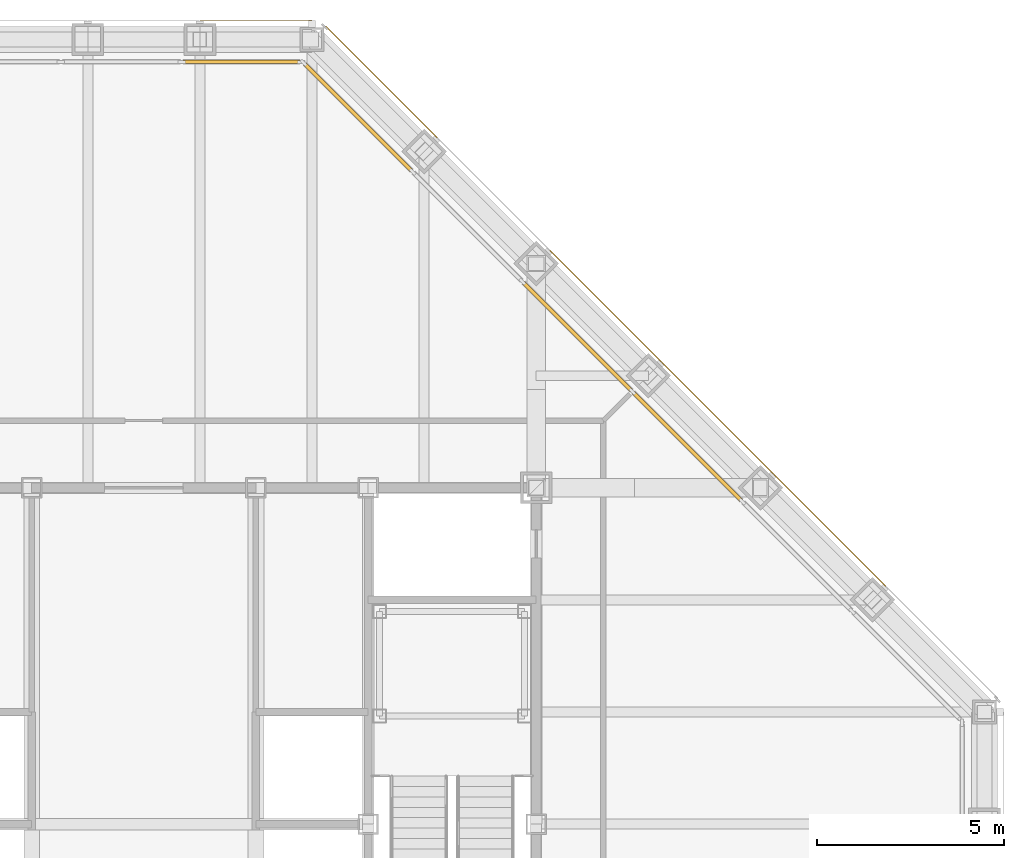
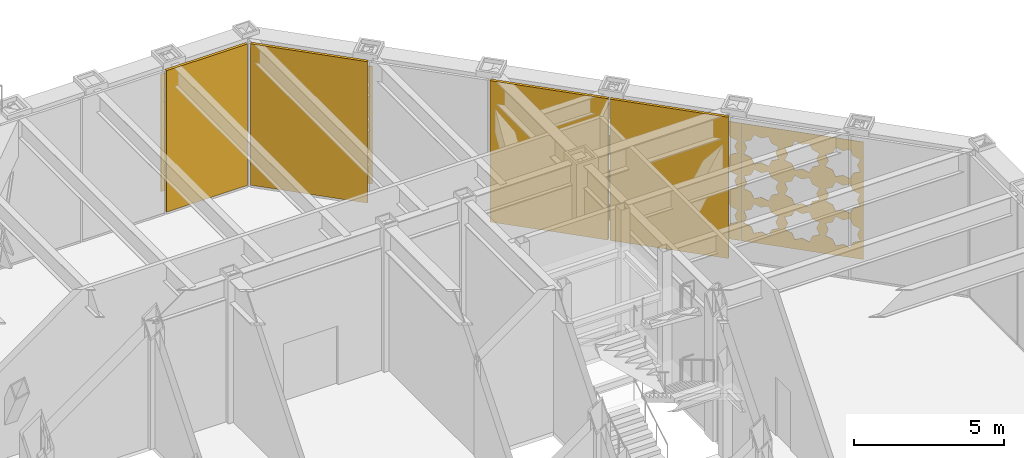
# One storey, part 28 of 29: 5 coverings, 4 shading devices, 2 elements without a shape of their own.
"""IFC4 building model written with IfcOpenShell, lengths in metres."""

from ifc_helpers import new_model, si_unit, direction, frame, origin, origin_2d, place, context, subcontext, project, spatial, polyline, rectangle, outline, extrude, material, layer, layer_set, type_object, element, aggregate, save


model = new_model("IFC4")

# Units and contexts
model_context = context("Model", 3, precision=1e-05, world=origin(), true_north=direction((0.0, 1.0)))
body_context = subcontext(model_context, "Body", "Model", "MODEL_VIEW")
ifc_project = project(units=[si_unit("LENGTHUNIT", "METRE"), si_unit("AREAUNIT", "SQUARE_METRE"), si_unit("VOLUMEUNIT", "CUBIC_METRE"), si_unit("PLANEANGLEUNIT", "RADIAN"), si_unit("MASSUNIT", "GRAM", prefix="KILO")], contexts=[model_context])

# Site, building, storey
site_placement = place(None, origin())
site = spatial("IfcSite", under=ifc_project, at=site_placement, CompositionType="ELEMENT")
building_placement = place(site_placement, origin())
building = spatial("IfcBuilding", under=site, at=building_placement, Name="Chuquiago Exchange Tower", CompositionType="ELEMENT")
storey_placement = place(building_placement, frame((0.0, 0.0, 251.699951171875)))
storey = spatial("IfcBuildingStorey", under=building, at=storey_placement, Name="L56", CompositionType="ELEMENT", Elevation=251.699951171875)

# Curtain wall, shading devices
ifc_material_1 = material(Name="Aluminium curtain wall system", Category="aluminium")
ifc_layer_1 = layer(ifc_material_1, 0.199951171875)
ifc_layer_set_1 = layer_set([ifc_layer_1], Name="CW6 plant floor louvre wall")
curtain_wall_type = type_object("IfcCurtainWallType", Name="CW6 plant floor louvre wall", PredefinedType="NOTDEFINED", material=ifc_layer_set_1)
curtain_wall_1_placement = place(storey_placement, origin())
curtain_wall_1 = element("IfcCurtainWall", 1, at=curtain_wall_1_placement, inside=storey, type_object=curtain_wall_type, Name="CW6 curtain wall L56", PredefinedType="NOTDEFINED")
ifc_material_2 = material(Name="Aluminium louvre", Category="aluminium")
ifc_layer_2 = layer(ifc_material_2, 0.10009765625)
ifc_layer_set_2 = layer_set([ifc_layer_2], Name="CW6-P louvre panel 100")
shading_device_type = type_object("IfcShadingDeviceType", Name="CW6-P louvre panel 100", PredefinedType="USERDEFINED", material=ifc_layer_set_2)
shading_device_1_placement = place(storey_placement, frame((37.04638671875, 34.10498046875, 0.0751953125), z_axis=(0.0, 0.0, 1.0), x_axis=(-0.707106781187, 0.707106781187, 0.0)))
shading_device_1 = element("IfcShadingDevice", 2, at=shading_device_1_placement, type_object=shading_device_type, Name="CW6 panel 3.1", ObjectType="LOUVER", PredefinedType="USERDEFINED", context=body_context, shape_type="SweptSolid", body=[
    extrude(rectangle(XDim=4.084716796875, YDim=0.10009765625, at=origin_2d()), origin(), (0.0, 0.0, 1.0), 5.764892578125),
])
shading_device_2_placement = place(storey_placement, frame((34.10498046875, 37.04638671875, 0.0751953125), z_axis=(0.0, 0.0, 1.0), x_axis=(-0.707106781187, 0.707106781187, 0.0)))
shading_device_2 = element("IfcShadingDevice", 3, at=shading_device_2_placement, type_object=shading_device_type, Name="CW6 panel 4.1", ObjectType="LOUVER", PredefinedType="USERDEFINED", context=body_context, shape_type="SweptSolid", body=[
    extrude(rectangle(XDim=4.084716796875, YDim=0.10009765625, at=origin_2d()), origin(), (0.0, 0.0, 1.0), 5.764892578125),
])
shading_device_3_placement = place(storey_placement, frame((28.2353515625, 42.916015625, 0.0751953125), z_axis=(0.0, 0.0, 1.0), x_axis=(-0.707106781187, 0.707106781187, 0.0)))
shading_device_3 = element("IfcShadingDevice", 4, at=shading_device_3_placement, type_object=shading_device_type, Name="CW6 panel 6.1", ObjectType="LOUVER", PredefinedType="USERDEFINED", context=body_context, shape_type="SweptSolid", body=[
    extrude(rectangle(XDim=4.04736328125, YDim=0.10009765625, at=origin_2d()), origin(), (0.0, 0.0, 1.0), 5.764892578125),
])
aggregate(curtain_wall_1, [shading_device_1, shading_device_2, shading_device_3])

# Curtain wall, shading device
curtain_wall_2_placement = place(storey_placement, origin())
curtain_wall_2 = element("IfcCurtainWall", 5, at=curtain_wall_2_placement, inside=storey, type_object=curtain_wall_type, Name="CW6 curtain wall L56", PredefinedType="NOTDEFINED")
shading_device_4_placement = place(storey_placement, frame((25.115234375, 44.39990234375, 0.0751953125), z_axis=(0.0, 0.0, 1.0), x_axis=(-1.0, 0.0, 0.0)))
shading_device_4 = element("IfcShadingDevice", 6, at=shading_device_4_placement, type_object=shading_device_type, Name="CW6 panel 1.1", ObjectType="LOUVER", PredefinedType="USERDEFINED", context=body_context, shape_type="SweptSolid", body=[
    extrude(rectangle(XDim=3.12255859375, YDim=0.10009765625, at=origin_2d()), origin(), (0.0, 0.0, 1.0), 5.764892578125),
])
aggregate(curtain_wall_2, [shading_device_4])

# Coverings
ifc_material_3 = material(Name="Anodised aluminium, pale", Category="aluminium")
ifc_layer_3 = layer(ifc_material_3, 0.02001953125)
ifc_layer_set_3 = layer_set([ifc_layer_3], Name="GC1 girih cladding panel 20")
covering_type_1 = type_object("IfcCoveringType", Name="GC1 girih cladding panel 20", PredefinedType="CLADDING", material=ifc_layer_set_3)
covering_1_placement = place(storey_placement, frame((26.9951171875, 45.5, 0.050048828125), z_axis=(0.0, 0.0, 1.0), x_axis=(-1.0, 0.0, 0.0)))
element("IfcCovering", 7, at=covering_1_placement, inside=storey, type_object=covering_type_1, Name="Girih cladding panel L56 N 1", PredefinedType="CLADDING", context=body_context, shape_type="SweptSolid", body=[
    extrude(outline(polyline([(0.0, 0.0), (2.989990234375, 0.0), (2.989990234375, 4.7900390625), (0.0, 4.7900390625), (0.0, 0.0)]), holes=[polyline([(1.27392578125, 0.89990234375), (1.3828125, 1.1630859375), (1.11962890625, 1.272216796875), (1.0107421875, 1.535400390625), (0.74755859375, 1.426513671875), (0.484375, 1.535400390625), (0.375244140625, 1.272216796875), (0.112060546875, 1.1630859375), (0.22119140625, 0.89990234375), (0.112060546875, 0.63671875), (0.375244140625, 0.52783203125), (0.484375, 0.2646484375), (0.74755859375, 0.37353515625), (1.0107421875, 0.2646484375), (1.11962890625, 0.52783203125), (1.3828125, 0.63671875), (1.27392578125, 0.89990234375)]), polyline([(2.768798828125, 0.89990234375), (2.8779296875, 1.1630859375), (2.61474609375, 1.272216796875), (2.505615234375, 1.535400390625), (2.242431640625, 1.426513671875), (1.979248046875, 1.535400390625), (1.870361328125, 1.272216796875), (1.607177734375, 1.1630859375), (1.716064453125, 0.89990234375), (1.607177734375, 0.63671875), (1.870361328125, 0.52783203125), (1.979248046875, 0.2646484375), (2.242431640625, 0.37353515625), (2.505615234375, 0.2646484375), (2.61474609375, 0.52783203125), (2.8779296875, 0.63671875), (2.768798828125, 0.89990234375)]), polyline([(1.27392578125, 2.39501953125), (1.3828125, 2.658203125), (1.11962890625, 2.76708984375), (1.0107421875, 3.030517578125), (0.74755859375, 2.92138671875), (0.484375, 3.030517578125), (0.375244140625, 2.76708984375), (0.112060546875, 2.658203125), (0.22119140625, 2.39501953125), (0.112060546875, 2.1318359375), (0.375244140625, 2.022705078125), (0.484375, 1.759521484375), (0.74755859375, 1.86865234375), (1.0107421875, 1.759521484375), (1.11962890625, 2.022705078125), (1.3828125, 2.1318359375), (1.27392578125, 2.39501953125)]), polyline([(2.768798828125, 2.39501953125), (2.8779296875, 2.658203125), (2.61474609375, 2.76708984375), (2.505615234375, 3.030517578125), (2.242431640625, 2.92138671875), (1.979248046875, 3.030517578125), (1.870361328125, 2.76708984375), (1.607177734375, 2.658203125), (1.716064453125, 2.39501953125), (1.607177734375, 2.1318359375), (1.870361328125, 2.022705078125), (1.979248046875, 1.759521484375), (2.242431640625, 1.86865234375), (2.505615234375, 1.759521484375), (2.61474609375, 2.022705078125), (2.8779296875, 2.1318359375), (2.768798828125, 2.39501953125)]), polyline([(1.27392578125, 3.889892578125), (1.3828125, 4.1533203125), (1.11962890625, 4.26220703125), (1.0107421875, 4.525390625), (0.74755859375, 4.41650390625), (0.484375, 4.525390625), (0.375244140625, 4.26220703125), (0.112060546875, 4.1533203125), (0.22119140625, 3.889892578125), (0.112060546875, 3.626708984375), (0.375244140625, 3.517822265625), (0.484375, 3.254638671875), (0.74755859375, 3.363525390625), (1.0107421875, 3.254638671875), (1.11962890625, 3.517822265625), (1.3828125, 3.626708984375), (1.27392578125, 3.889892578125)]), polyline([(2.768798828125, 3.889892578125), (2.8779296875, 4.1533203125), (2.61474609375, 4.26220703125), (2.505615234375, 4.525390625), (2.242431640625, 4.41650390625), (1.979248046875, 4.525390625), (1.870361328125, 4.26220703125), (1.607177734375, 4.1533203125), (1.716064453125, 3.889892578125), (1.607177734375, 3.626708984375), (1.870361328125, 3.517822265625), (1.979248046875, 3.254638671875), (2.242431640625, 3.363525390625), (2.505615234375, 3.254638671875), (2.61474609375, 3.517822265625), (2.8779296875, 3.626708984375), (2.768798828125, 3.889892578125)])]), frame((0.0, 0.0, 0.0), z_axis=(0.0, -1.0, 0.0), x_axis=(1.0, 0.0, 0.0)), (0.0, 0.0, 1.0), 0.02001953125),
])
ifc_material_4 = material(Name="Anodised aluminium, pale", Category="aluminium")
ifc_layer_4 = layer(ifc_material_4, 0.02001953125)
ifc_layer_set_4 = layer_set([ifc_layer_4], Name="GC2 girih cladding panel 20")
covering_type_2 = type_object("IfcCoveringType", Name="GC2 girih cladding panel 20", PredefinedType="CLADDING", material=ifc_layer_set_4)
covering_2_placement = place(storey_placement, frame((42.35009765625, 30.357177734375, 0.050048828125), z_axis=(0.0, 0.0, 1.0), x_axis=(-0.707106781187, 0.707106781187, 0.0)))
element("IfcCovering", 8, at=covering_2_placement, inside=storey, type_object=covering_type_2, Name="Girih cladding panel L56 NE 2", PredefinedType="CLADDING", context=body_context, shape_type="SweptSolid", body=[
    extrude(outline(polyline([(0.0, 0.0), (4.232666015625, 0.0), (4.232666015625, 4.7900390625), (0.0, 4.7900390625), (0.0, 0.0)]), holes=[polyline([(1.2021484375, 0.984130859375), (1.304931640625, 1.232421875), (1.056640625, 1.33544921875), (0.953857421875, 1.583740234375), (0.70556640625, 1.480712890625), (0.45703125, 1.583740234375), (0.354248046875, 1.33544921875), (0.10595703125, 1.232421875), (0.208740234375, 0.984130859375), (0.10595703125, 0.735595703125), (0.354248046875, 0.6328125), (0.45703125, 0.384521484375), (0.705322265625, 0.4873046875), (0.953857421875, 0.384521484375), (1.056640625, 0.6328125), (1.304931640625, 0.735595703125), (1.2021484375, 0.984130859375)]), polyline([(2.613037109375, 0.984130859375), (2.7158203125, 1.232421875), (2.467529296875, 1.33544921875), (2.36474609375, 1.583740234375), (2.116455078125, 1.480712890625), (1.867919921875, 1.583740234375), (1.76513671875, 1.33544921875), (1.516845703125, 1.232421875), (1.61962890625, 0.984130859375), (1.516845703125, 0.735595703125), (1.76513671875, 0.6328125), (1.867919921875, 0.384521484375), (2.116455078125, 0.4873046875), (2.36474609375, 0.384521484375), (2.467529296875, 0.6328125), (2.7158203125, 0.735595703125), (2.613037109375, 0.984130859375)]), polyline([(4.02392578125, 0.984130859375), (4.126708984375, 1.232421875), (3.87841796875, 1.33544921875), (3.775634765625, 1.583740234375), (3.527099609375, 1.480712890625), (3.27880859375, 1.583740234375), (3.176025390625, 1.33544921875), (2.927734375, 1.232421875), (3.030517578125, 0.984130859375), (2.927734375, 0.735595703125), (3.176025390625, 0.6328125), (3.27880859375, 0.384521484375), (3.527099609375, 0.4873046875), (3.775634765625, 0.384521484375), (3.87841796875, 0.6328125), (4.126708984375, 0.735595703125), (4.02392578125, 0.984130859375)]), polyline([(1.2021484375, 2.39501953125), (1.304931640625, 2.643310546875), (1.056640625, 2.746337890625), (0.953857421875, 2.99462890625), (0.70556640625, 2.8916015625), (0.45703125, 2.99462890625), (0.354248046875, 2.746337890625), (0.10595703125, 2.643310546875), (0.208740234375, 2.39501953125), (0.10595703125, 2.146484375), (0.354248046875, 2.043701171875), (0.45703125, 1.79541015625), (0.705322265625, 1.898193359375), (0.953857421875, 1.79541015625), (1.056640625, 2.043701171875), (1.304931640625, 2.146484375), (1.2021484375, 2.39501953125)]), polyline([(2.613037109375, 2.39501953125), (2.7158203125, 2.643310546875), (2.467529296875, 2.746337890625), (2.36474609375, 2.99462890625), (2.116455078125, 2.8916015625), (1.867919921875, 2.99462890625), (1.76513671875, 2.746337890625), (1.516845703125, 2.643310546875), (1.61962890625, 2.39501953125), (1.516845703125, 2.146484375), (1.76513671875, 2.043701171875), (1.867919921875, 1.79541015625), (2.116455078125, 1.898193359375), (2.36474609375, 1.79541015625), (2.467529296875, 2.043701171875), (2.7158203125, 2.146484375), (2.613037109375, 2.39501953125)]), polyline([(4.02392578125, 2.39501953125), (4.126708984375, 2.643310546875), (3.87841796875, 2.746337890625), (3.775634765625, 2.99462890625), (3.527099609375, 2.8916015625), (3.27880859375, 2.99462890625), (3.176025390625, 2.746337890625), (2.927734375, 2.643310546875), (3.030517578125, 2.39501953125), (2.927734375, 2.146484375), (3.176025390625, 2.043701171875), (3.27880859375, 1.79541015625), (3.527099609375, 1.898193359375), (3.775634765625, 1.79541015625), (3.87841796875, 2.043701171875), (4.126708984375, 2.146484375), (4.02392578125, 2.39501953125)]), polyline([(1.2021484375, 3.805908203125), (1.304931640625, 4.05419921875), (1.056640625, 4.1572265625), (0.953857421875, 4.405517578125), (0.70556640625, 4.302490234375), (0.45703125, 4.405517578125), (0.354248046875, 4.1572265625), (0.10595703125, 4.05419921875), (0.208740234375, 3.805908203125), (0.10595703125, 3.5576171875), (0.354248046875, 3.45458984375), (0.45703125, 3.206298828125), (0.705322265625, 3.30908203125), (0.953857421875, 3.206298828125), (1.056640625, 3.45458984375), (1.304931640625, 3.5576171875), (1.2021484375, 3.805908203125)]), polyline([(2.613037109375, 3.805908203125), (2.7158203125, 4.05419921875), (2.467529296875, 4.1572265625), (2.36474609375, 4.405517578125), (2.116455078125, 4.302490234375), (1.867919921875, 4.405517578125), (1.76513671875, 4.1572265625), (1.516845703125, 4.05419921875), (1.61962890625, 3.805908203125), (1.516845703125, 3.5576171875), (1.76513671875, 3.45458984375), (1.867919921875, 3.206298828125), (2.116455078125, 3.30908203125), (2.36474609375, 3.206298828125), (2.467529296875, 3.45458984375), (2.7158203125, 3.5576171875), (2.613037109375, 3.805908203125)]), polyline([(4.02392578125, 3.805908203125), (4.126708984375, 4.05419921875), (3.87841796875, 4.1572265625), (3.775634765625, 4.405517578125), (3.527099609375, 4.302490234375), (3.27880859375, 4.405517578125), (3.176025390625, 4.1572265625), (2.927734375, 4.05419921875), (3.030517578125, 3.805908203125), (2.927734375, 3.5576171875), (3.176025390625, 3.45458984375), (3.27880859375, 3.206298828125), (3.527099609375, 3.30908203125), (3.775634765625, 3.206298828125), (3.87841796875, 3.45458984375), (4.126708984375, 3.5576171875), (4.02392578125, 3.805908203125)])]), frame((0.0, 0.0, 0.0), z_axis=(0.0, -1.0, 0.0), x_axis=(1.0, 0.0, 0.0)), (0.0, 0.0, 1.0), 0.02001953125),
])
covering_3_placement = place(storey_placement, frame((39.35009765625, 33.357177734375, 0.050048828125), z_axis=(0.0, 0.0, 1.0), x_axis=(-0.707106781187, 0.707106781187, 0.0)))
element("IfcCovering", 9, at=covering_3_placement, inside=storey, type_object=covering_type_2, Name="Girih cladding panel L56 NE 3", PredefinedType="CLADDING", context=body_context, shape_type="SweptSolid", body=[
    extrude(outline(polyline([(0.0, 0.0), (4.232666015625, 0.0), (4.232666015625, 4.7900390625), (0.0, 4.7900390625), (0.0, 0.0)]), holes=[polyline([(1.2021484375, 0.984130859375), (1.304931640625, 1.232421875), (1.056640625, 1.33544921875), (0.953857421875, 1.583740234375), (0.70556640625, 1.480712890625), (0.45703125, 1.583740234375), (0.354248046875, 1.33544921875), (0.10595703125, 1.232421875), (0.208740234375, 0.984130859375), (0.10595703125, 0.735595703125), (0.354248046875, 0.6328125), (0.45703125, 0.384521484375), (0.705322265625, 0.4873046875), (0.953857421875, 0.384521484375), (1.056640625, 0.6328125), (1.304931640625, 0.735595703125), (1.2021484375, 0.984130859375)]), polyline([(2.613037109375, 0.984130859375), (2.7158203125, 1.232421875), (2.467529296875, 1.33544921875), (2.36474609375, 1.583740234375), (2.116455078125, 1.480712890625), (1.867919921875, 1.583740234375), (1.76513671875, 1.33544921875), (1.516845703125, 1.232421875), (1.61962890625, 0.984130859375), (1.516845703125, 0.735595703125), (1.76513671875, 0.6328125), (1.867919921875, 0.384521484375), (2.116455078125, 0.4873046875), (2.36474609375, 0.384521484375), (2.467529296875, 0.6328125), (2.7158203125, 0.735595703125), (2.613037109375, 0.984130859375)]), polyline([(4.02392578125, 0.984130859375), (4.126708984375, 1.232421875), (3.87841796875, 1.33544921875), (3.775634765625, 1.583740234375), (3.527099609375, 1.480712890625), (3.27880859375, 1.583740234375), (3.176025390625, 1.33544921875), (2.927734375, 1.232421875), (3.030517578125, 0.984130859375), (2.927734375, 0.735595703125), (3.176025390625, 0.6328125), (3.27880859375, 0.384521484375), (3.527099609375, 0.4873046875), (3.775634765625, 0.384521484375), (3.87841796875, 0.6328125), (4.126708984375, 0.735595703125), (4.02392578125, 0.984130859375)]), polyline([(1.2021484375, 2.39501953125), (1.304931640625, 2.643310546875), (1.056640625, 2.746337890625), (0.953857421875, 2.99462890625), (0.70556640625, 2.8916015625), (0.45703125, 2.99462890625), (0.354248046875, 2.746337890625), (0.10595703125, 2.643310546875), (0.208740234375, 2.39501953125), (0.10595703125, 2.146484375), (0.354248046875, 2.043701171875), (0.45703125, 1.79541015625), (0.705322265625, 1.898193359375), (0.953857421875, 1.79541015625), (1.056640625, 2.043701171875), (1.304931640625, 2.146484375), (1.2021484375, 2.39501953125)]), polyline([(2.613037109375, 2.39501953125), (2.7158203125, 2.643310546875), (2.467529296875, 2.746337890625), (2.36474609375, 2.99462890625), (2.116455078125, 2.8916015625), (1.867919921875, 2.99462890625), (1.76513671875, 2.746337890625), (1.516845703125, 2.643310546875), (1.61962890625, 2.39501953125), (1.516845703125, 2.146484375), (1.76513671875, 2.043701171875), (1.867919921875, 1.79541015625), (2.116455078125, 1.898193359375), (2.36474609375, 1.79541015625), (2.467529296875, 2.043701171875), (2.7158203125, 2.146484375), (2.613037109375, 2.39501953125)]), polyline([(4.02392578125, 2.39501953125), (4.126708984375, 2.643310546875), (3.87841796875, 2.746337890625), (3.775634765625, 2.99462890625), (3.527099609375, 2.8916015625), (3.27880859375, 2.99462890625), (3.176025390625, 2.746337890625), (2.927734375, 2.643310546875), (3.030517578125, 2.39501953125), (2.927734375, 2.146484375), (3.176025390625, 2.043701171875), (3.27880859375, 1.79541015625), (3.527099609375, 1.898193359375), (3.775634765625, 1.79541015625), (3.87841796875, 2.043701171875), (4.126708984375, 2.146484375), (4.02392578125, 2.39501953125)]), polyline([(1.2021484375, 3.805908203125), (1.304931640625, 4.05419921875), (1.056640625, 4.1572265625), (0.953857421875, 4.405517578125), (0.70556640625, 4.302490234375), (0.45703125, 4.405517578125), (0.354248046875, 4.1572265625), (0.10595703125, 4.05419921875), (0.208740234375, 3.805908203125), (0.10595703125, 3.5576171875), (0.354248046875, 3.45458984375), (0.45703125, 3.206298828125), (0.705322265625, 3.30908203125), (0.953857421875, 3.206298828125), (1.056640625, 3.45458984375), (1.304931640625, 3.5576171875), (1.2021484375, 3.805908203125)]), polyline([(2.613037109375, 3.805908203125), (2.7158203125, 4.05419921875), (2.467529296875, 4.1572265625), (2.36474609375, 4.405517578125), (2.116455078125, 4.302490234375), (1.867919921875, 4.405517578125), (1.76513671875, 4.1572265625), (1.516845703125, 4.05419921875), (1.61962890625, 3.805908203125), (1.516845703125, 3.5576171875), (1.76513671875, 3.45458984375), (1.867919921875, 3.206298828125), (2.116455078125, 3.30908203125), (2.36474609375, 3.206298828125), (2.467529296875, 3.45458984375), (2.7158203125, 3.5576171875), (2.613037109375, 3.805908203125)]), polyline([(4.02392578125, 3.805908203125), (4.126708984375, 4.05419921875), (3.87841796875, 4.1572265625), (3.775634765625, 4.405517578125), (3.527099609375, 4.302490234375), (3.27880859375, 4.405517578125), (3.176025390625, 4.1572265625), (2.927734375, 4.05419921875), (3.030517578125, 3.805908203125), (2.927734375, 3.5576171875), (3.176025390625, 3.45458984375), (3.27880859375, 3.206298828125), (3.527099609375, 3.30908203125), (3.775634765625, 3.206298828125), (3.87841796875, 3.45458984375), (4.126708984375, 3.5576171875), (4.02392578125, 3.805908203125)])]), frame((0.0, 0.0, 0.0), z_axis=(0.0, -1.0, 0.0), x_axis=(1.0, 0.0, 0.0)), (0.0, 0.0, 1.0), 0.02001953125),
])
covering_4_placement = place(storey_placement, frame((36.35009765625, 36.357177734375, 0.050048828125), z_axis=(0.0, 0.0, 1.0), x_axis=(-0.707106781187, 0.707106781187, 0.0)))
element("IfcCovering", 10, at=covering_4_placement, inside=storey, type_object=covering_type_2, Name="Girih cladding panel L56 NE 4", PredefinedType="CLADDING", context=body_context, shape_type="SweptSolid", body=[
    extrude(outline(polyline([(0.0, 0.0), (4.232666015625, 0.0), (4.232666015625, 4.7900390625), (0.0, 4.7900390625), (0.0, 0.0)]), holes=[polyline([(1.2021484375, 0.984130859375), (1.304931640625, 1.232421875), (1.056640625, 1.33544921875), (0.953857421875, 1.583740234375), (0.70556640625, 1.480712890625), (0.45703125, 1.583740234375), (0.354248046875, 1.33544921875), (0.10595703125, 1.232421875), (0.208740234375, 0.984130859375), (0.10595703125, 0.735595703125), (0.354248046875, 0.6328125), (0.45703125, 0.384521484375), (0.705322265625, 0.4873046875), (0.953857421875, 0.384521484375), (1.056640625, 0.6328125), (1.304931640625, 0.735595703125), (1.2021484375, 0.984130859375)]), polyline([(2.613037109375, 0.984130859375), (2.7158203125, 1.232421875), (2.467529296875, 1.33544921875), (2.36474609375, 1.583740234375), (2.116455078125, 1.480712890625), (1.867919921875, 1.583740234375), (1.76513671875, 1.33544921875), (1.516845703125, 1.232421875), (1.61962890625, 0.984130859375), (1.516845703125, 0.735595703125), (1.76513671875, 0.6328125), (1.867919921875, 0.384521484375), (2.116455078125, 0.4873046875), (2.36474609375, 0.384521484375), (2.467529296875, 0.6328125), (2.7158203125, 0.735595703125), (2.613037109375, 0.984130859375)]), polyline([(4.02392578125, 0.984130859375), (4.126708984375, 1.232421875), (3.87841796875, 1.33544921875), (3.775634765625, 1.583740234375), (3.527099609375, 1.480712890625), (3.27880859375, 1.583740234375), (3.176025390625, 1.33544921875), (2.927734375, 1.232421875), (3.030517578125, 0.984130859375), (2.927734375, 0.735595703125), (3.176025390625, 0.6328125), (3.27880859375, 0.384521484375), (3.527099609375, 0.4873046875), (3.775634765625, 0.384521484375), (3.87841796875, 0.6328125), (4.126708984375, 0.735595703125), (4.02392578125, 0.984130859375)]), polyline([(1.2021484375, 2.39501953125), (1.304931640625, 2.643310546875), (1.056640625, 2.746337890625), (0.953857421875, 2.99462890625), (0.70556640625, 2.8916015625), (0.45703125, 2.99462890625), (0.354248046875, 2.746337890625), (0.10595703125, 2.643310546875), (0.208740234375, 2.39501953125), (0.10595703125, 2.146484375), (0.354248046875, 2.043701171875), (0.45703125, 1.79541015625), (0.705322265625, 1.898193359375), (0.953857421875, 1.79541015625), (1.056640625, 2.043701171875), (1.304931640625, 2.146484375), (1.2021484375, 2.39501953125)]), polyline([(2.613037109375, 2.39501953125), (2.7158203125, 2.643310546875), (2.467529296875, 2.746337890625), (2.36474609375, 2.99462890625), (2.116455078125, 2.8916015625), (1.867919921875, 2.99462890625), (1.76513671875, 2.746337890625), (1.516845703125, 2.643310546875), (1.61962890625, 2.39501953125), (1.516845703125, 2.146484375), (1.76513671875, 2.043701171875), (1.867919921875, 1.79541015625), (2.116455078125, 1.898193359375), (2.36474609375, 1.79541015625), (2.467529296875, 2.043701171875), (2.7158203125, 2.146484375), (2.613037109375, 2.39501953125)]), polyline([(4.02392578125, 2.39501953125), (4.126708984375, 2.643310546875), (3.87841796875, 2.746337890625), (3.775634765625, 2.99462890625), (3.527099609375, 2.8916015625), (3.27880859375, 2.99462890625), (3.176025390625, 2.746337890625), (2.927734375, 2.643310546875), (3.030517578125, 2.39501953125), (2.927734375, 2.146484375), (3.176025390625, 2.043701171875), (3.27880859375, 1.79541015625), (3.527099609375, 1.898193359375), (3.775634765625, 1.79541015625), (3.87841796875, 2.043701171875), (4.126708984375, 2.146484375), (4.02392578125, 2.39501953125)]), polyline([(1.2021484375, 3.805908203125), (1.304931640625, 4.05419921875), (1.056640625, 4.1572265625), (0.953857421875, 4.405517578125), (0.70556640625, 4.302490234375), (0.45703125, 4.405517578125), (0.354248046875, 4.1572265625), (0.10595703125, 4.05419921875), (0.208740234375, 3.805908203125), (0.10595703125, 3.5576171875), (0.354248046875, 3.45458984375), (0.45703125, 3.206298828125), (0.705322265625, 3.30908203125), (0.953857421875, 3.206298828125), (1.056640625, 3.45458984375), (1.304931640625, 3.5576171875), (1.2021484375, 3.805908203125)]), polyline([(2.613037109375, 3.805908203125), (2.7158203125, 4.05419921875), (2.467529296875, 4.1572265625), (2.36474609375, 4.405517578125), (2.116455078125, 4.302490234375), (1.867919921875, 4.405517578125), (1.76513671875, 4.1572265625), (1.516845703125, 4.05419921875), (1.61962890625, 3.805908203125), (1.516845703125, 3.5576171875), (1.76513671875, 3.45458984375), (1.867919921875, 3.206298828125), (2.116455078125, 3.30908203125), (2.36474609375, 3.206298828125), (2.467529296875, 3.45458984375), (2.7158203125, 3.5576171875), (2.613037109375, 3.805908203125)]), polyline([(4.02392578125, 3.805908203125), (4.126708984375, 4.05419921875), (3.87841796875, 4.1572265625), (3.775634765625, 4.405517578125), (3.527099609375, 4.302490234375), (3.27880859375, 4.405517578125), (3.176025390625, 4.1572265625), (2.927734375, 4.05419921875), (3.030517578125, 3.805908203125), (2.927734375, 3.5576171875), (3.176025390625, 3.45458984375), (3.27880859375, 3.206298828125), (3.527099609375, 3.30908203125), (3.775634765625, 3.206298828125), (3.87841796875, 3.45458984375), (4.126708984375, 3.5576171875), (4.02392578125, 3.805908203125)])]), frame((0.0, 0.0, 0.0), z_axis=(0.0, -1.0, 0.0), x_axis=(1.0, 0.0, 0.0)), (0.0, 0.0, 1.0), 0.02001953125),
])
covering_5_placement = place(storey_placement, frame((30.35009765625, 42.357177734375, 0.050048828125), z_axis=(0.0, 0.0, 1.0), x_axis=(-0.707106781187, 0.707106781187, 0.0)))
element("IfcCovering", 11, at=covering_5_placement, inside=storey, type_object=covering_type_2, Name="Girih cladding panel L56 NE 6", PredefinedType="CLADDING", context=body_context, shape_type="SweptSolid", body=[
    extrude(outline(polyline([(0.0, 0.0), (4.232666015625, 0.0), (4.232666015625, 4.7900390625), (0.0, 4.7900390625), (0.0, 0.0)]), holes=[polyline([(1.2021484375, 0.984130859375), (1.304931640625, 1.232421875), (1.056640625, 1.33544921875), (0.953857421875, 1.583740234375), (0.70556640625, 1.480712890625), (0.45703125, 1.583740234375), (0.354248046875, 1.33544921875), (0.10595703125, 1.232421875), (0.208740234375, 0.984130859375), (0.10595703125, 0.735595703125), (0.354248046875, 0.6328125), (0.45703125, 0.384521484375), (0.705322265625, 0.4873046875), (0.953857421875, 0.384521484375), (1.056640625, 0.6328125), (1.304931640625, 0.735595703125), (1.2021484375, 0.984130859375)]), polyline([(2.613037109375, 0.984130859375), (2.7158203125, 1.232421875), (2.467529296875, 1.33544921875), (2.36474609375, 1.583740234375), (2.116455078125, 1.480712890625), (1.867919921875, 1.583740234375), (1.76513671875, 1.33544921875), (1.516845703125, 1.232421875), (1.61962890625, 0.984130859375), (1.516845703125, 0.735595703125), (1.76513671875, 0.6328125), (1.867919921875, 0.384521484375), (2.116455078125, 0.4873046875), (2.36474609375, 0.384521484375), (2.467529296875, 0.6328125), (2.7158203125, 0.735595703125), (2.613037109375, 0.984130859375)]), polyline([(4.02392578125, 0.984130859375), (4.126708984375, 1.232421875), (3.87841796875, 1.33544921875), (3.775634765625, 1.583740234375), (3.527099609375, 1.480712890625), (3.27880859375, 1.583740234375), (3.176025390625, 1.33544921875), (2.927734375, 1.232421875), (3.030517578125, 0.984130859375), (2.927734375, 0.735595703125), (3.176025390625, 0.6328125), (3.27880859375, 0.384521484375), (3.527099609375, 0.4873046875), (3.775634765625, 0.384521484375), (3.87841796875, 0.6328125), (4.126708984375, 0.735595703125), (4.02392578125, 0.984130859375)]), polyline([(1.2021484375, 2.39501953125), (1.304931640625, 2.643310546875), (1.056640625, 2.746337890625), (0.953857421875, 2.99462890625), (0.70556640625, 2.8916015625), (0.45703125, 2.99462890625), (0.354248046875, 2.746337890625), (0.10595703125, 2.643310546875), (0.208740234375, 2.39501953125), (0.10595703125, 2.146484375), (0.354248046875, 2.043701171875), (0.45703125, 1.79541015625), (0.705322265625, 1.898193359375), (0.953857421875, 1.79541015625), (1.056640625, 2.043701171875), (1.304931640625, 2.146484375), (1.2021484375, 2.39501953125)]), polyline([(2.613037109375, 2.39501953125), (2.7158203125, 2.643310546875), (2.467529296875, 2.746337890625), (2.36474609375, 2.99462890625), (2.116455078125, 2.8916015625), (1.867919921875, 2.99462890625), (1.76513671875, 2.746337890625), (1.516845703125, 2.643310546875), (1.61962890625, 2.39501953125), (1.516845703125, 2.146484375), (1.76513671875, 2.043701171875), (1.867919921875, 1.79541015625), (2.116455078125, 1.898193359375), (2.36474609375, 1.79541015625), (2.467529296875, 2.043701171875), (2.7158203125, 2.146484375), (2.613037109375, 2.39501953125)]), polyline([(4.02392578125, 2.39501953125), (4.126708984375, 2.643310546875), (3.87841796875, 2.746337890625), (3.775634765625, 2.99462890625), (3.527099609375, 2.8916015625), (3.27880859375, 2.99462890625), (3.176025390625, 2.746337890625), (2.927734375, 2.643310546875), (3.030517578125, 2.39501953125), (2.927734375, 2.146484375), (3.176025390625, 2.043701171875), (3.27880859375, 1.79541015625), (3.527099609375, 1.898193359375), (3.775634765625, 1.79541015625), (3.87841796875, 2.043701171875), (4.126708984375, 2.146484375), (4.02392578125, 2.39501953125)]), polyline([(1.2021484375, 3.805908203125), (1.304931640625, 4.05419921875), (1.056640625, 4.1572265625), (0.953857421875, 4.405517578125), (0.70556640625, 4.302490234375), (0.45703125, 4.405517578125), (0.354248046875, 4.1572265625), (0.10595703125, 4.05419921875), (0.208740234375, 3.805908203125), (0.10595703125, 3.5576171875), (0.354248046875, 3.45458984375), (0.45703125, 3.206298828125), (0.705322265625, 3.30908203125), (0.953857421875, 3.206298828125), (1.056640625, 3.45458984375), (1.304931640625, 3.5576171875), (1.2021484375, 3.805908203125)]), polyline([(2.613037109375, 3.805908203125), (2.7158203125, 4.05419921875), (2.467529296875, 4.1572265625), (2.36474609375, 4.405517578125), (2.116455078125, 4.302490234375), (1.867919921875, 4.405517578125), (1.76513671875, 4.1572265625), (1.516845703125, 4.05419921875), (1.61962890625, 3.805908203125), (1.516845703125, 3.5576171875), (1.76513671875, 3.45458984375), (1.867919921875, 3.206298828125), (2.116455078125, 3.30908203125), (2.36474609375, 3.206298828125), (2.467529296875, 3.45458984375), (2.7158203125, 3.5576171875), (2.613037109375, 3.805908203125)]), polyline([(4.02392578125, 3.805908203125), (4.126708984375, 4.05419921875), (3.87841796875, 4.1572265625), (3.775634765625, 4.405517578125), (3.527099609375, 4.302490234375), (3.27880859375, 4.405517578125), (3.176025390625, 4.1572265625), (2.927734375, 4.05419921875), (3.030517578125, 3.805908203125), (2.927734375, 3.5576171875), (3.176025390625, 3.45458984375), (3.27880859375, 3.206298828125), (3.527099609375, 3.30908203125), (3.775634765625, 3.206298828125), (3.87841796875, 3.45458984375), (4.126708984375, 3.5576171875), (4.02392578125, 3.805908203125)])]), frame((0.0, 0.0, 0.0), z_axis=(0.0, -1.0, 0.0), x_axis=(1.0, 0.0, 0.0)), (0.0, 0.0, 1.0), 0.02001953125),
])

save(model, "model.ifc")
